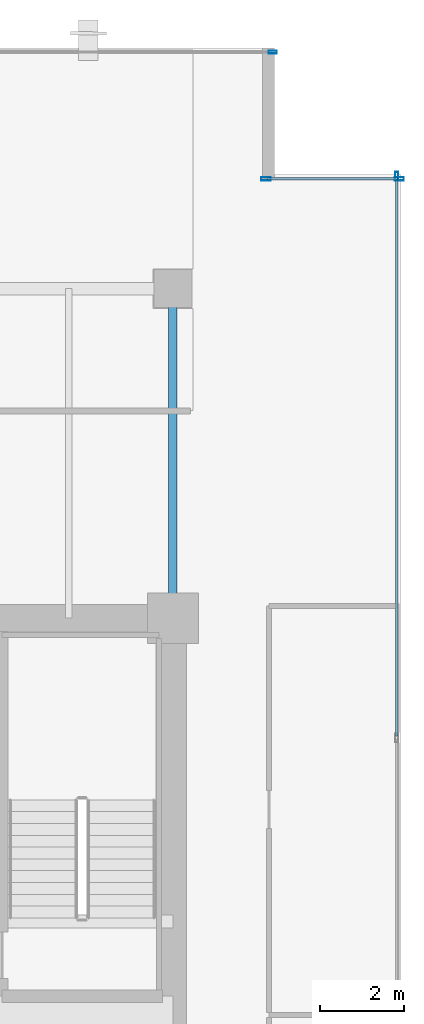
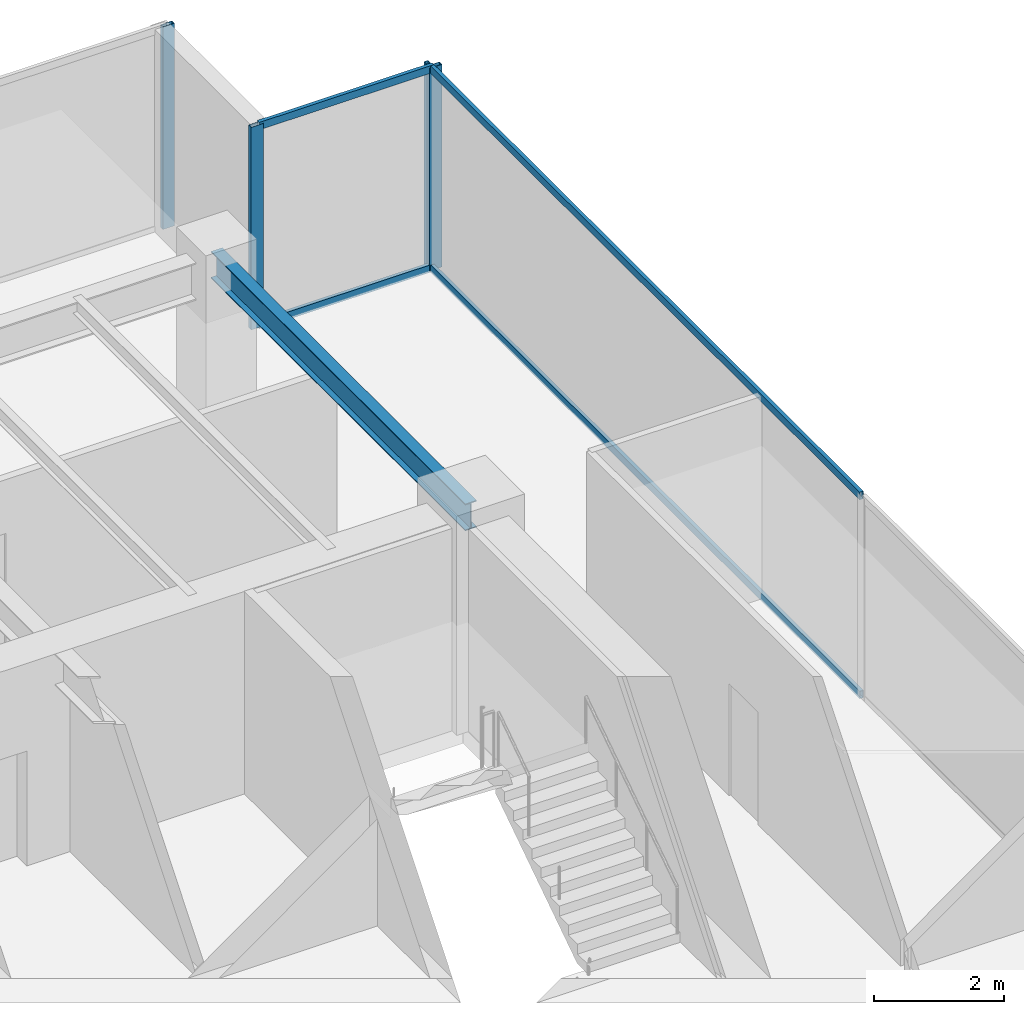
# One storey, part 23 of 34: 8 members, 1 beam, 3 elements without a shape of their own.
"""IFC4 building model written with IfcOpenShell, lengths in metres."""

from ifc_helpers import new_model, si_unit, direction, frame, origin, origin_2d, place, context, subcontext, project, spatial, hollow_rectangle, i_section, extrude, source, transform, mapped, material, layer, layer_set, material_profile, profile_set, type_object, type_shapes, element, aggregate, save


model = new_model("IFC4")

# Units and contexts
model_context = context("Model", 3, precision=1e-05, world=origin(), true_north=direction((0.0, 1.0)))
body_context = subcontext(model_context, "Body", "Model", "MODEL_VIEW")
ifc_project = project(units=[si_unit("LENGTHUNIT", "METRE"), si_unit("AREAUNIT", "SQUARE_METRE"), si_unit("VOLUMEUNIT", "CUBIC_METRE"), si_unit("PLANEANGLEUNIT", "RADIAN"), si_unit("MASSUNIT", "GRAM", prefix="KILO")], contexts=[model_context])

# Site, building, storey
site_placement = place(None, origin())
site = spatial("IfcSite", under=ifc_project, at=site_placement, CompositionType="ELEMENT")
building_placement = place(site_placement, origin())
building = spatial("IfcBuilding", under=site, at=building_placement, Name="Haelvirn Gate Laboratories", CompositionType="ELEMENT")
storey_placement = place(building_placement, frame((0.0, 0.0, 158.39990234375)))
storey = spatial("IfcBuildingStorey", under=building, at=storey_placement, Name="L38", CompositionType="ELEMENT", Elevation=158.39990234375)

# Beam
ifc_material_1 = material(Name="Steel SM355", Category="steel")
ifc_material_profile_1 = material_profile(ifc_material_1, i_section(OverallWidth=0.199951171875, OverallDepth=0.5, WebThickness=0.010009765625, FlangeThickness=0.01611328125, at=origin_2d()), Name="H-500x200x10x16")
ifc_profile_set_1 = profile_set([ifc_material_profile_1], Name="Steel SM355")
beam_type = type_object("IfcBeamType", Name="BM-SP-500", PredefinedType="SPANDREL", material=ifc_profile_set_1)
shared_shape_1 = source(origin(), body_context, "Body", "SweptSolid", [
    extrude(i_section(OverallWidth=0.199951171875, OverallDepth=0.5, WebThickness=0.010009765625, FlangeThickness=0.01611328125, at=origin_2d()), origin(), (0.0, 0.0, 1.0), 7.800048828125),
])
type_shapes(beam_type, [shared_shape_1])
beam_placement = place(storey_placement, frame((67.39990234375, 33.800048828125, 3.5400390625), z_axis=(0.0, 1.0, 0.0), x_axis=(-1.0, 0.0, 0.0)))
element("IfcBeam", 1, at=beam_placement, inside=storey, type_object=beam_type, Name="L38 Perimeter Spandrel X67.4 (33.8-41.6)", PredefinedType="SPANDREL", context=body_context, shape_type="MappedRepresentation", body=[
    mapped(shared_shape_1, transform((0.0, 0.0, 0.0), scale=1.0)),
])

# Curtain wall, members
ifc_material_2 = material(Name="Anodised bronze unitised aluminium & triple low-E glass", Category="aluminium")
ifc_layer_1 = layer(ifc_material_2, 0.181884765625, Name="CW-SYS-5")
ifc_layer_set_1 = layer_set([ifc_layer_1], Name="Anodised bronze unitised aluminium & triple low-E glass")
curtain_wall_type_1 = type_object("IfcCurtainWallType", Name="CW-SYS-5", PredefinedType="NOTDEFINED", material=ifc_layer_set_1)
curtain_wall_1_placement = place(storey_placement, origin())
curtain_wall_1 = element("IfcCurtainWall", 2, at=curtain_wall_1_placement, inside=storey, type_object=curtain_wall_type_1, Name="L38 Unitised Curtain Wall CW-L38-P0-E08-1", PredefinedType="NOTDEFINED")
ifc_material_3 = material(Name="Extruded aluminium 6063-T6 (anodised bronze)", Category="aluminium")
ifc_material_profile_2 = material_profile(ifc_material_3, hollow_rectangle(XDim=0.06494140625, YDim=0.139892578125, WallThickness=0.00390625, at=origin_2d()), Name="CWT-140x65x4")
ifc_profile_set_2 = profile_set([ifc_material_profile_2], Name="Extruded aluminium 6063-T6 (anodised bronze)")
member_type_1 = type_object("IfcMemberType", Name="CWT-T140", PredefinedType="USERDEFINED", material=ifc_profile_set_2)
shared_shape_2 = source(origin(), body_context, "Body", "SweptSolid", [
    extrude(hollow_rectangle(XDim=0.06494140625, YDim=0.139892578125, WallThickness=0.00390625, at=origin_2d()), origin(), (0.0, 0.0, 1.0), 3.080078125),
])
member_1_placement = place(storey_placement, frame((69.639892578125, 44.199951171875, 0.03271484375), z_axis=(1.0, 0.0, 0.0), x_axis=(0.0, 1.0, 0.0)))
member_1 = element("IfcMember", 3, at=member_1_placement, type_object=member_type_1, Name="CW5 transom 1.1", ObjectType="TRANSOM", PredefinedType="USERDEFINED", context=body_context, shape_type="MappedRepresentation", body=[
    mapped(shared_shape_2, transform((0.0, 0.0, 0.0), scale=1.0)),
])
member_2_placement = place(storey_placement, frame((69.639892578125, 44.199951171875, 3.757568359375), z_axis=(1.0, 0.0, 0.0), x_axis=(0.0, 1.0, 0.0)))
member_2 = element("IfcMember", 4, at=member_2_placement, type_object=member_type_1, Name="CW5 transom 1.2", ObjectType="TRANSOM", PredefinedType="USERDEFINED", context=body_context, shape_type="MappedRepresentation", body=[
    mapped(shared_shape_2, transform((0.0, 0.0, 0.0), scale=1.0)),
])

ifc_layer_2 = layer(ifc_material_2, 0.179931640625, Name="CW-SYS-3")
ifc_layer_set_2 = layer_set([ifc_layer_2], Name="Anodised bronze unitised aluminium & triple low-E glass")
curtain_wall_type_2 = type_object("IfcCurtainWallType", Name="CW-SYS-3", PredefinedType="NOTDEFINED", material=ifc_layer_set_2)
curtain_wall_2_placement = place(storey_placement, origin())
curtain_wall_2 = element("IfcCurtainWall", 5, at=curtain_wall_2_placement, inside=storey, type_object=curtain_wall_type_2, Name="L38 Unitised Curtain Wall CW-L38-P0-E07", PredefinedType="NOTDEFINED")
shared_shape_3 = source(origin(), body_context, "Body", "SweptSolid", [
    extrude(hollow_rectangle(XDim=0.06494140625, YDim=0.139892578125, WallThickness=0.00390625, at=origin_2d()), origin(), (0.0, 0.0, 1.0), 13.220947265625),
])
type_shapes(member_type_1, [shared_shape_2, shared_shape_3])
member_3_placement = place(storey_placement, frame((72.699951171875, 31.004150390625, 0.03271484375), z_axis=(0.0, 1.0, 0.0), x_axis=(-1.0, 0.0, 0.0)))
member_3 = element("IfcMember", 6, at=member_3_placement, type_object=member_type_1, Name="CW3 transom 3.1", ObjectType="TRANSOM", PredefinedType="USERDEFINED", context=body_context, shape_type="MappedRepresentation", body=[
    mapped(shared_shape_3, transform((0.0, 0.0, 0.0), scale=1.0)),
])
member_4_placement = place(storey_placement, frame((72.699951171875, 31.004150390625, 3.757568359375), z_axis=(0.0, 1.0, 0.0), x_axis=(-1.0, 0.0, 0.0)))
member_4 = element("IfcMember", 7, at=member_4_placement, type_object=member_type_1, Name="CW3 transom 3.2", ObjectType="TRANSOM", PredefinedType="USERDEFINED", context=body_context, shape_type="MappedRepresentation", body=[
    mapped(shared_shape_3, transform((0.0, 0.0, 0.0), scale=1.0)),
])
ifc_material_profile_3 = material_profile(ifc_material_3, hollow_rectangle(XDim=0.074951171875, YDim=0.199951171875, WallThickness=0.0048828125, at=origin_2d()), Name="CWM-200x75x5")
ifc_profile_set_3 = profile_set([ifc_material_profile_3], Name="Extruded aluminium 6063-T6 (anodised bronze)")
member_type_2 = type_object("IfcMemberType", Name="CWM-T200", PredefinedType="MULLION", material=ifc_profile_set_3)
shared_shape_4 = source(origin(), body_context, "Body", "SweptSolid", [
    extrude(hollow_rectangle(XDim=0.074951171875, YDim=0.199951171875, WallThickness=0.0048828125, at=origin_2d()), origin(), (0.0, 0.0, 1.0), 3.7900390625),
])
type_shapes(member_type_2, [shared_shape_4])
member_5_placement = place(storey_placement, frame((72.699951171875, 44.262451171875, 0.0), z_axis=(0.0, 0.0, 1.0), x_axis=(-1.0, 0.0, 0.0)))
member_5 = element("IfcMember", 8, at=member_5_placement, type_object=member_type_2, Name="CW3 mullion 4", PredefinedType="MULLION", context=body_context, shape_type="MappedRepresentation", body=[
    mapped(shared_shape_4, transform((0.0, 0.0, 0.0), scale=1.0)),
])
aggregate(curtain_wall_2, [member_5, member_3, member_4])

# Curtain wall, member
curtain_wall_3_placement = place(storey_placement, origin())
curtain_wall_3 = element("IfcCurtainWall", 9, at=curtain_wall_3_placement, inside=storey, type_object=curtain_wall_type_2, Name="L38 Unitised Curtain Wall CW-L38-P0-E10-1", PredefinedType="NOTDEFINED")
member_6_placement = place(storey_placement, frame((69.762451171875, 47.199951171875, 0.0), z_axis=(0.0, 0.0, 1.0), x_axis=(0.0, 1.0, 0.0)))
member_6 = element("IfcMember", 10, at=member_6_placement, type_object=member_type_2, Name="CW3 mullion 3", PredefinedType="MULLION", context=body_context, shape_type="MappedRepresentation", body=[
    mapped(shared_shape_4, transform((0.0, 0.0, 0.0), scale=1.0)),
])
aggregate(curtain_wall_3, [member_6])

# Member
ifc_material_profile_4 = material_profile(ifc_material_3, hollow_rectangle(XDim=0.080078125, YDim=0.219970703125, WallThickness=0.006103515625, at=origin_2d()), Name="CWM-220x80x6")
ifc_profile_set_4 = profile_set([ifc_material_profile_4], Name="Extruded aluminium 6063-T6 (anodised bronze)")
member_type_3 = type_object("IfcMemberType", Name="CWM-T220", PredefinedType="MULLION", material=ifc_profile_set_4)
shared_shape_5 = source(origin(), body_context, "Body", "SweptSolid", [
    extrude(hollow_rectangle(XDim=0.080078125, YDim=0.219970703125, WallThickness=0.006103515625, at=origin_2d()), origin(), (0.0, 0.0, 1.0), 3.7900390625),
])
type_shapes(member_type_3, [shared_shape_5])
member_7_placement = place(storey_placement, frame((69.60009765625, 44.199951171875, 0.0), z_axis=(0.0, 0.0, 1.0), x_axis=(0.0, 1.0, 0.0)))
member_7 = element("IfcMember", 11, at=member_7_placement, type_object=member_type_3, Name="CW5 mullion 1", PredefinedType="MULLION", context=body_context, shape_type="MappedRepresentation", body=[
    mapped(shared_shape_5, transform((0.0, 0.0, 0.0), scale=1.0)),
])

member_8_placement = place(storey_placement, frame((72.760009765625, 44.199951171875, 0.0), z_axis=(0.0, 0.0, 1.0), x_axis=(0.0, 1.0, 0.0)))
member_8 = element("IfcMember", 12, at=member_8_placement, type_object=member_type_3, Name="CW5 mullion 2", PredefinedType="MULLION", context=body_context, shape_type="MappedRepresentation", body=[
    mapped(shared_shape_5, transform((0.0, 0.0, 0.0), scale=1.0)),
])

aggregate(curtain_wall_1, [member_7, member_8, member_1, member_2])

save(model, "model.ifc")
